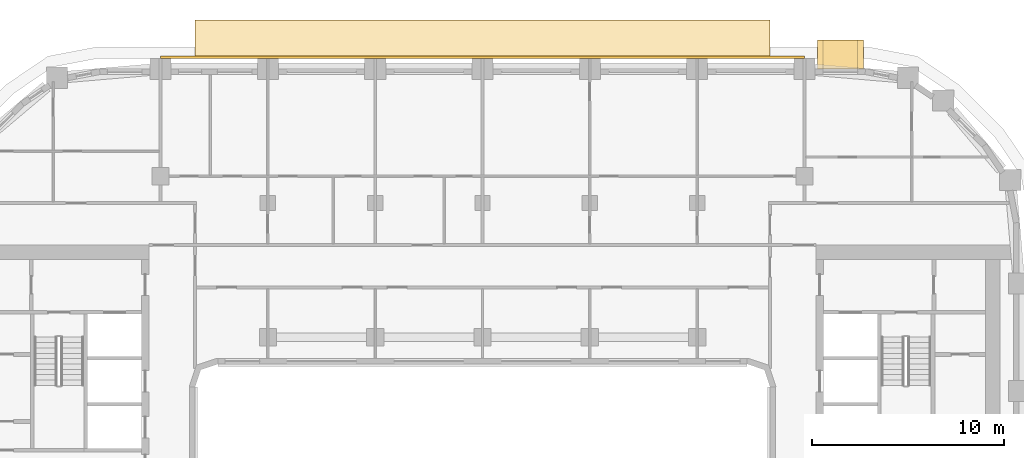
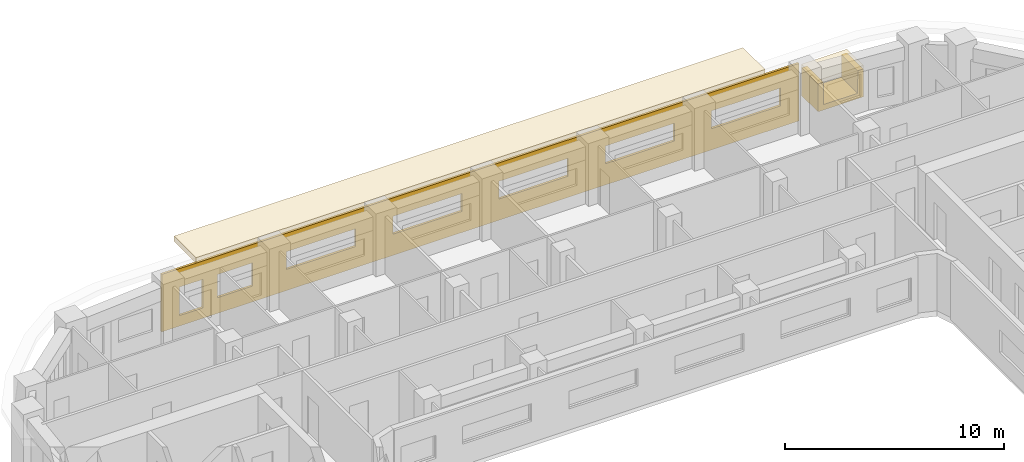
# One storey, part 21 of 22: 4 coverings.
"""IFC4 building model written with IfcOpenShell, lengths in metres."""

from ifc_helpers import new_model, si_unit, direction, frame, origin, origin_2d, place, context, subcontext, project, spatial, polyline, rectangle, outline, extrude, material, layer, layer_set, type_object, element, save


model = new_model("IFC4")

# Units and contexts
model_context = context("Model", 3, precision=1e-05, world=origin(), true_north=direction((0.0, 1.0)))
body_context = subcontext(model_context, "Body", "Model", "MODEL_VIEW")
ifc_project = project(units=[si_unit("LENGTHUNIT", "METRE"), si_unit("AREAUNIT", "SQUARE_METRE"), si_unit("VOLUMEUNIT", "CUBIC_METRE"), si_unit("PLANEANGLEUNIT", "RADIAN"), si_unit("MASSUNIT", "GRAM", prefix="KILO")], contexts=[model_context])

# Site, building, storey
site_placement = place(None, origin())
site = spatial("IfcSite", under=ifc_project, at=site_placement, CompositionType="ELEMENT")
building_placement = place(site_placement, origin())
building = spatial("IfcBuilding", under=site, at=building_placement, Name="Kiln Ring Residences", CompositionType="ELEMENT")
storey_placement = place(building_placement, frame((0.0, 0.0, 153.60009765625)))
storey = spatial("IfcBuildingStorey", under=building, at=storey_placement, Name="L39", CompositionType="ELEMENT", Elevation=153.60009765625)

# Coverings
ifc_material_1 = material(Name="Brick masonry, dark clay brick", Category="masonry")
ifc_layer_1 = layer(ifc_material_1, 0.300048828125)
ifc_layer_set_1 = layer_set([ifc_layer_1], Name="FRAME CHEEKS AND SILL 1500")
covering_type_1 = type_object("IfcCoveringType", Name="FRAME CHEEKS AND SILL 1500", PredefinedType="CLADDING", material=ifc_layer_set_1)
covering_1_placement = place(storey_placement, frame((19.875, 23.14990234375, 0.599853515625), z_axis=(0.0, 0.0, 1.0), x_axis=(-1.0, 0.0, 0.0)))
element("IfcCovering", 1, at=covering_1_placement, inside=storey, type_object=covering_type_1, Name="FRAME L39", PredefinedType="CLADDING", context=body_context, shape_type="SweptSolid", body=[
    extrude(outline(polyline([(0.0, 0.0), (2.39990234375, 0.0), (2.39990234375, 1.550048828125), (2.10107421875, 1.550048828125), (2.10009765625, 0.300048828125), (0.300048828125, 0.300048828125), (0.299072265625, 1.550048828125), (0.0, 1.550048828125), (0.0, 0.0)])), frame((0.0, 0.75, 0.0), z_axis=(0.0, -1.0, 0.0), x_axis=(1.0, 0.0, 0.0)), (0.0, 0.0, 1.0), 1.5),
])
ifc_material_2 = material(Name="Brick masonry, dark clay brick", Category="masonry")
ifc_layer_2 = layer(ifc_material_2, 0.199951171875)
ifc_layer_set_2 = layer_set([ifc_layer_2], Name="FRAME HEAD 1500")
covering_type_2 = type_object("IfcCoveringType", Name="FRAME HEAD 1500", PredefinedType="CLADDING", material=ifc_layer_set_2)
covering_2_placement = place(storey_placement, frame((18.675048828125, 23.14990234375, 2.14990234375), z_axis=(0.0, 0.0, 1.0), x_axis=(-1.0, 0.0, 0.0)))
element("IfcCovering", 2, at=covering_2_placement, inside=storey, type_object=covering_type_2, Name="FRAME HEAD L39", PredefinedType="CLADDING", context=body_context, shape_type="SweptSolid", body=[
    extrude(rectangle(XDim=2.39990234375, YDim=1.5, at=origin_2d()), origin(), (0.0, 0.0, 1.0), 0.199951171875),
])
ifc_material_3 = material(Name="Brick masonry, dark clay brick", Category="masonry")
ifc_layer_3 = layer(ifc_material_3, 0.1201171875)
ifc_layer_set_3 = layer_set([ifc_layer_3], Name="RAINSCREEN PANEL 120")
covering_type_3 = type_object("IfcCoveringType", Name="RAINSCREEN PANEL 120", PredefinedType="CLADDING", material=ifc_layer_set_3)
covering_3_placement = place(storey_placement, frame((16.800048828125, 23.010009765625, 0.0), z_axis=(0.0, 0.0, 1.0), x_axis=(-1.0, 0.0, 0.0)))
element("IfcCovering", 3, at=covering_3_placement, inside=storey, type_object=covering_type_3, Name="RAINSCREEN L39", PredefinedType="CLADDING", context=body_context, shape_type="SweptSolid", body=[
    extrude(outline(polyline([(0.0, 0.0), (33.60009765625, 0.0), (33.60009765625, 3.199951171875), (0.0, 3.199951171875), (0.0, 0.0)]), holes=[polyline([(32.6826171875, 0.579833984375), (32.6826171875, 2.169921875), (31.4423828125, 2.169921875), (31.4423828125, 0.579833984375), (32.6826171875, 0.579833984375)]), polyline([(28.8173828125, 0.8798828125), (30.657470703125, 0.8798828125), (30.657470703125, 2.169921875), (28.8173828125, 2.169921875), (28.8173828125, 0.8798828125)]), polyline([(0.97998046875, 1.179931640625), (4.6201171875, 1.179931640625), (4.6201171875, 2.169921875), (0.97998046875, 2.169921875), (0.97998046875, 1.179931640625)]), polyline([(6.580078125, 1.179931640625), (10.219970703125, 1.179931640625), (10.219970703125, 2.169921875), (6.580078125, 2.169921875), (6.580078125, 1.179931640625)]), polyline([(12.179931640625, 1.179931640625), (15.820068359375, 1.179931640625), (15.820068359375, 2.169921875), (12.179931640625, 2.169921875), (12.179931640625, 1.179931640625)]), polyline([(17.780029296875, 1.179931640625), (21.419921875, 1.179931640625), (21.419921875, 2.169921875), (17.780029296875, 2.169921875), (17.780029296875, 1.179931640625)]), polyline([(23.3798828125, 1.179931640625), (27.02001953125, 1.179931640625), (27.02001953125, 2.169921875), (23.3798828125, 2.169921875), (23.3798828125, 1.179931640625)])]), frame((0.0, 0.06005859375, 0.0), z_axis=(0.0, -1.0, 0.0), x_axis=(1.0, 0.0, 0.0)), (0.0, 0.0, 1.0), 0.1201171875),
])
ifc_material_4 = material(Name="Black powder-coated steel", Category="steel")
ifc_layer_4 = layer(ifc_material_4, 0.300048828125)
ifc_layer_set_4 = layer_set([ifc_layer_4], Name="SUNSHADE BAND 2000")
covering_type_4 = type_object("IfcCoveringType", Name="SUNSHADE BAND 2000", PredefinedType="CLADDING", material=ifc_layer_set_4)
covering_4_placement = place(storey_placement, frame((0.0, 0.0, 3.199951171875)))
element("IfcCovering", 4, at=covering_4_placement, inside=storey, type_object=covering_type_4, Name="SUNSHADE BAND L39", PredefinedType="CLADDING", context=body_context, shape_type="SweptSolid", body=[
    extrude(outline(polyline([(15.0, 24.949951171875), (-15.0, 24.949951171875), (-15.0, 22.949951171875), (15.0, 22.949951171875), (15.0, 24.949951171875)])), origin(), (0.0, 0.0, 1.0), 0.300048828125),
])

save(model, "model.ifc")
